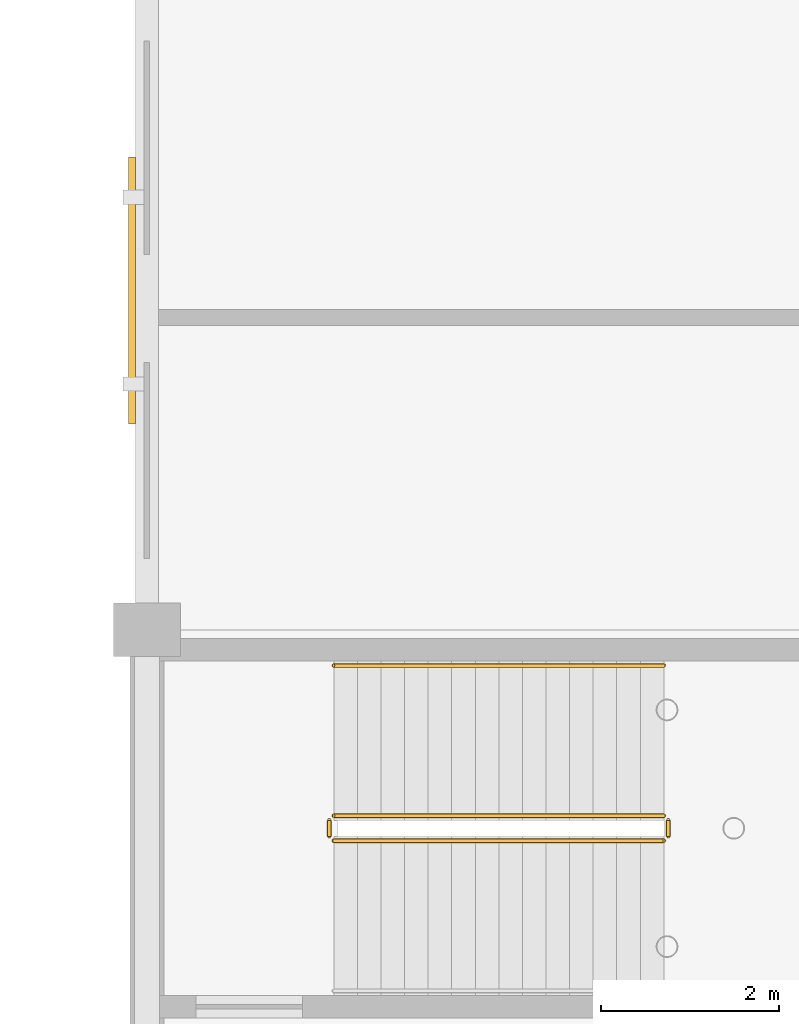
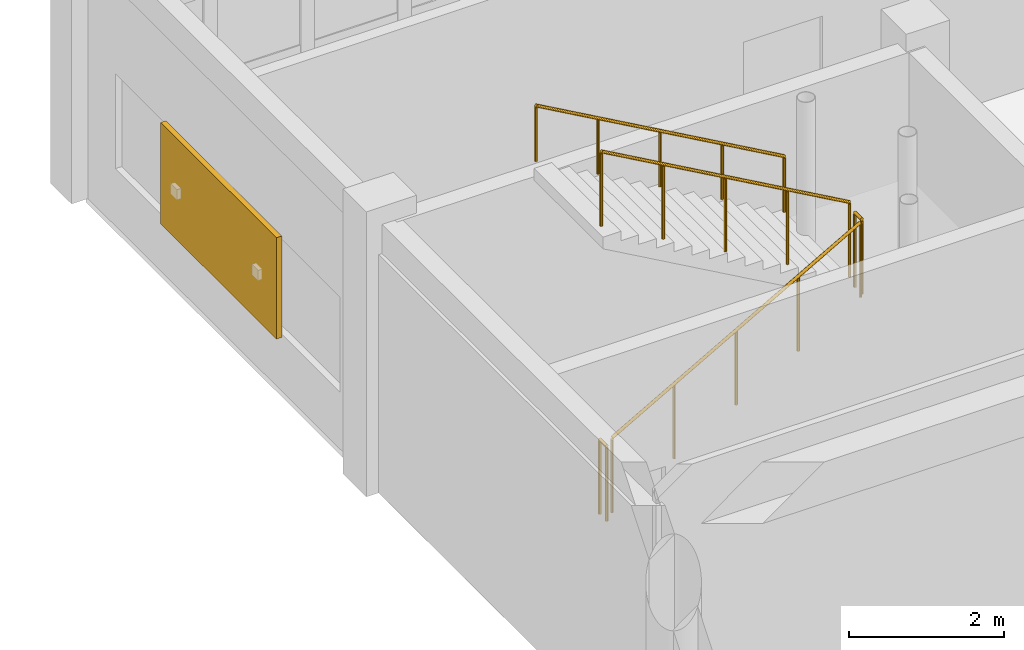
# One storey, part 151 of 160: 5 railings, 1 shading device.
"""IFC4 building model written with IfcOpenShell, lengths in metres."""

from ifc_helpers import new_model, si_unit, direction, frame, origin, origin_2d, place, context, subcontext, project, spatial, rectangle, circle, extrude, material, type_object, element, save


model = new_model("IFC4")

# Units and contexts
model_context = context("Model", 3, precision=1e-05, world=origin(), true_north=direction((0.0, 1.0)))
body_context = subcontext(model_context, "Body", "Model", "MODEL_VIEW")
ifc_project = project(units=[si_unit("LENGTHUNIT", "METRE"), si_unit("AREAUNIT", "SQUARE_METRE"), si_unit("VOLUMEUNIT", "CUBIC_METRE"), si_unit("PLANEANGLEUNIT", "RADIAN"), si_unit("MASSUNIT", "GRAM", prefix="KILO")], contexts=[model_context])

# Site, building, storey
site_placement = place(None, origin())
site = spatial("IfcSite", under=ifc_project, at=site_placement, CompositionType="ELEMENT")
building_placement = place(site_placement, origin())
building = spatial("IfcBuilding", under=site, at=building_placement, Name="Kharva Crest Polytechnic", CompositionType="ELEMENT")
storey_placement = place(building_placement, frame((0.0, 0.0, 4.5)))
storey = spatial("IfcBuildingStorey", under=building, at=storey_placement, Name="L01", CompositionType="ELEMENT", Elevation=4.5)

# Railings
ifc_material_1 = material(Name="Anodised aluminium", Category="aluminium")
railing_type_1 = type_object("IfcRailingType", Name="RL-STAIR-GUARD-1200", PredefinedType="GUARDRAIL", material=ifc_material_1)
railing_1_placement = place(storey_placement, frame((122.89990234375, 28.030029296875, 0.14990234375)))
element("IfcRailing", 1, at=railing_1_placement, inside=storey, type_object=railing_type_1, Name="L01 ST-07 stair guard 1", PredefinedType="GUARDRAIL", context=body_context, shape_type="SweptSolid", body=[
    extrude(circle(Radius=0.02392578125, at=origin_2d()), frame((0.0, 0.0, 1.17578125), z_axis=(0.870258707807, 0.0, 0.492594946671), x_axis=(0.0, 1.0, 0.0)), (0.0, 0.0, 1.0), 4.263427734375),
    extrude(circle(Radius=0.02099609375, at=origin_2d()), origin(), (0.0, 0.0, 1.0), 1.15185546875),
    extrude(circle(Radius=0.02099609375, at=origin_2d()), frame((0.927490234375, 0.0, 0.52490234375)), (0.0, 0.0, 1.0), 1.15185546875),
    extrude(circle(Radius=0.02099609375, at=origin_2d()), frame((1.85498046875, 0.0, 1.050048828125)), (0.0, 0.0, 1.0), 1.15185546875),
    extrude(circle(Radius=0.02099609375, at=origin_2d()), frame((2.78271484375, 0.0, 1.5751953125)), (0.0, 0.0, 1.0), 1.15185546875),
    extrude(circle(Radius=0.02099609375, at=origin_2d()), frame((3.710205078125, 0.0, 2.10009765625)), (0.0, 0.0, 1.0), 1.15185546875),
])
railing_2_placement = place(storey_placement, frame((126.659912109375, 28.080078125, 2.25)))
element("IfcRailing", 2, at=railing_2_placement, inside=storey, type_object=railing_type_1, Name="L01 ST-07 stair guard 2", PredefinedType="GUARDRAIL", context=body_context, shape_type="SweptSolid", body=[
    extrude(circle(Radius=0.02392578125, at=origin_2d()), frame((0.0, 0.0, 1.17578125), z_axis=(0.0, 1.0, 0.0), x_axis=(-1.0, 0.0, 0.0)), (0.0, 0.0, 1.0), 0.179931640625),
    extrude(circle(Radius=0.02099609375, at=origin_2d()), origin(), (0.0, 0.0, 1.0), 1.15185546875),
    extrude(circle(Radius=0.02099609375, at=origin_2d()), frame((0.0, 0.179931640625, 0.0)), (0.0, 0.0, 1.0), 1.15185546875),
])
railing_3_placement = place(storey_placement, frame((126.610107421875, 28.31005859375, 2.39990234375)))
element("IfcRailing", 3, at=railing_3_placement, inside=storey, type_object=railing_type_1, Name="L01 ST-07 stair guard 3", PredefinedType="GUARDRAIL", context=body_context, shape_type="SweptSolid", body=[
    extrude(circle(Radius=0.02392578125, at=origin_2d()), frame((0.0, 0.0, 1.17578125), z_axis=(-0.870258707807, 0.0, 0.492594946671), x_axis=(0.0, -1.0, 0.0)), (0.0, 0.0, 1.0), 4.263427734375),
    extrude(circle(Radius=0.02099609375, at=origin_2d()), origin(), (0.0, 0.0, 1.0), 1.15185546875),
    extrude(circle(Radius=0.02099609375, at=origin_2d()), frame((-0.927490234375, 0.0, 0.52490234375)), (0.0, 0.0, 1.0), 1.15185546875),
    extrude(circle(Radius=0.02099609375, at=origin_2d()), frame((-1.85498046875, 0.0, 1.050048828125)), (0.0, 0.0, 1.0), 1.15185546875),
    extrude(circle(Radius=0.02099609375, at=origin_2d()), frame((-2.78271484375, 0.0, 1.5751953125)), (0.0, 0.0, 1.0), 1.15185546875),
    extrude(circle(Radius=0.02099609375, at=origin_2d()), frame((-3.710205078125, 0.0, 2.10009765625)), (0.0, 0.0, 1.0), 1.15185546875),
])
railing_4_placement = place(storey_placement, frame((122.85009765625, 28.080078125, 0.0)))
element("IfcRailing", 4, at=railing_4_placement, inside=storey, type_object=railing_type_1, Name="L01 ST-07 stair guard 4", PredefinedType="GUARDRAIL", context=body_context, shape_type="SweptSolid", body=[
    extrude(circle(Radius=0.02392578125, at=origin_2d()), frame((0.0, 0.0, 1.17578125), z_axis=(0.0, 1.0, 0.0), x_axis=(-1.0, 0.0, 0.0)), (0.0, 0.0, 1.0), 0.179931640625),
    extrude(circle(Radius=0.02099609375, at=origin_2d()), origin(), (0.0, 0.0, 1.0), 1.15185546875),
    extrude(circle(Radius=0.02099609375, at=origin_2d()), frame((0.0, 0.179931640625, 0.0)), (0.0, 0.0, 1.0), 1.15185546875),
])
ifc_material_2 = material(Name="Teak timber", Category="wood")
railing_type_2 = type_object("IfcRailingType", Name="RL-STAIR-HAND-900", PredefinedType="HANDRAIL", material=ifc_material_2)
railing_5_placement = place(storey_placement, frame((126.610107421875, 30.0, 2.39990234375)))
element("IfcRailing", 5, at=railing_5_placement, inside=storey, type_object=railing_type_2, Name="L01 ST-07 stair handrail 2", PredefinedType="HANDRAIL", context=body_context, shape_type="SweptSolid", body=[
    extrude(circle(Radius=0.02392578125, at=origin_2d()), frame((0.0, 0.0, 0.8759765625), z_axis=(-0.870258707807, 0.0, 0.492594946671), x_axis=(0.0, -1.0, 0.0)), (0.0, 0.0, 1.0), 4.263427734375),
    extrude(circle(Radius=0.02099609375, at=origin_2d()), origin(), (0.0, 0.0, 1.0), 0.851806640625),
    extrude(circle(Radius=0.02099609375, at=origin_2d()), frame((-0.927490234375, 0.0, 0.52490234375)), (0.0, 0.0, 1.0), 0.851806640625),
    extrude(circle(Radius=0.02099609375, at=origin_2d()), frame((-1.85498046875, 0.0, 1.050048828125)), (0.0, 0.0, 1.0), 0.851806640625),
    extrude(circle(Radius=0.02099609375, at=origin_2d()), frame((-2.78271484375, 0.0, 1.5751953125)), (0.0, 0.0, 1.0), 0.851806640625),
    extrude(circle(Radius=0.02099609375, at=origin_2d()), frame((-3.710205078125, 0.0, 2.10009765625)), (0.0, 0.0, 1.0), 0.851806640625),
])

# Shading device
ifc_material_3 = material(Name="Perforated terracotta", Category="masonry")
shading_device_type = type_object("IfcShadingDeviceType", Name="SHD-JAALI-3000X1600", PredefinedType="USERDEFINED", material=ifc_material_3)
shading_device_placement = place(storey_placement, frame((120.632080078125, 34.21240234375, 0.849853515625), z_axis=(0.0, 0.0, 1.0), x_axis=(0.0, 1.0, 0.0)))
element("IfcShadingDevice", 6, at=shading_device_placement, inside=storey, type_object=shading_device_type, Name="L01 Terracotta Jaali Solar Screen 31", ObjectType="LOUVRE", PredefinedType="USERDEFINED", context=body_context, shape_type="SweptSolid", body=[
    extrude(rectangle(XDim=3.0, YDim=0.080078125, at=origin_2d()), origin(), (0.0, 0.0, 1.0), 1.60009765625),
])

save(model, "model.ifc")
